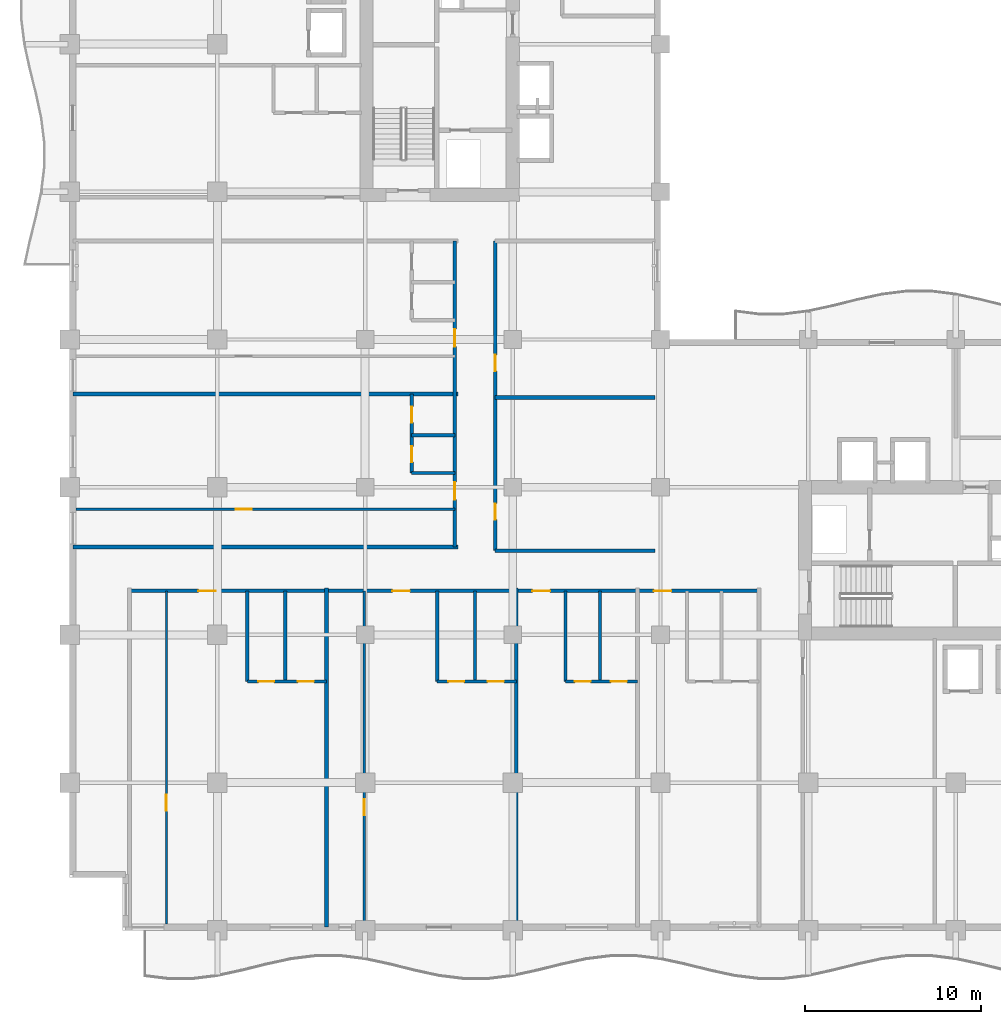
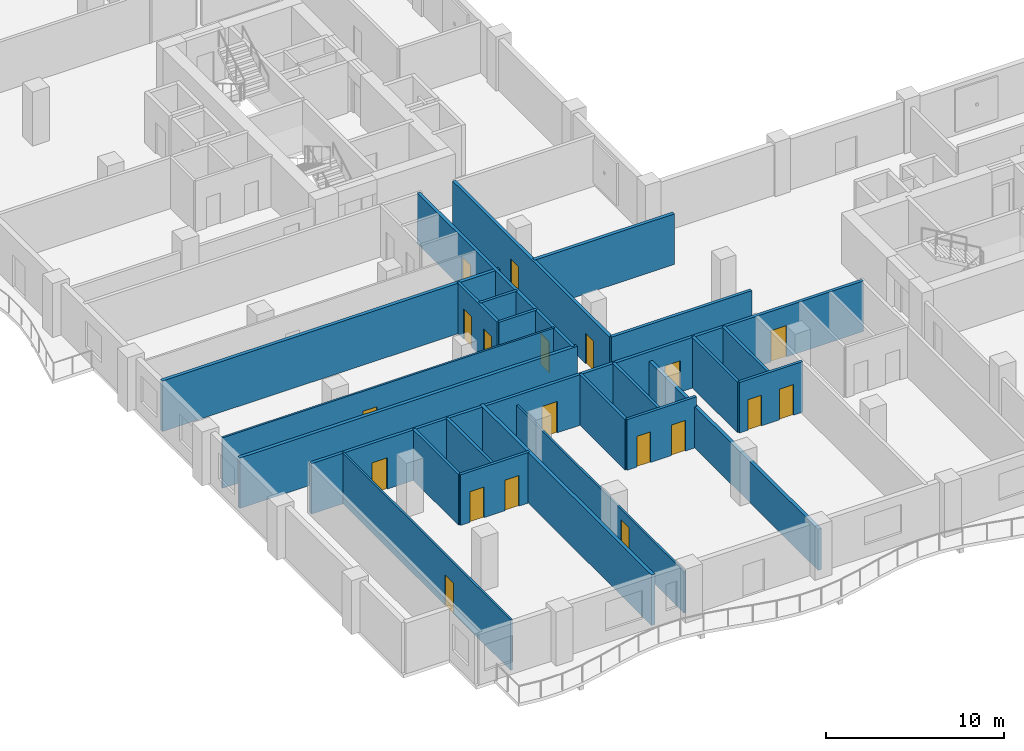
# One storey, part 4 of 16: 24 walls, 19 doors, 19 openings.
"""IFC4 building model written with IfcOpenShell, lengths in metres."""

from ifc_helpers import new_model, si_unit, direction, frame, frame_2d, origin, place, context, subcontext, project, spatial, rectangle, extrude, material, layer, layer_set, type_object, element, fill, save


model = new_model("IFC4")

# Units and contexts
model_context = context("Model", 3, precision=1e-05, world=origin(), true_north=direction((0.0, 1.0)))
body_context = subcontext(model_context, "Body", "Model", "MODEL_VIEW")
ifc_project = project(units=[si_unit("LENGTHUNIT", "METRE"), si_unit("AREAUNIT", "SQUARE_METRE"), si_unit("VOLUMEUNIT", "CUBIC_METRE"), si_unit("PLANEANGLEUNIT", "RADIAN"), si_unit("MASSUNIT", "GRAM", prefix="KILO")], contexts=[model_context])

# Site, building, storey
site_placement = place(None, origin())
site = spatial("IfcSite", under=ifc_project, at=site_placement, CompositionType="ELEMENT")
building_placement = place(site_placement, origin())
building = spatial("IfcBuilding", under=site, at=building_placement, Name="Koriwani Terraces Tower", CompositionType="ELEMENT")
storey_placement = place(building_placement, frame((0.0, 0.0, 179.10009765625)))
storey = spatial("IfcBuildingStorey", under=building, at=storey_placement, Name="L43", CompositionType="ELEMENT", Elevation=179.10009765625)

# Wall, openings, doors
ifc_material_1 = material(Name="Autoclaved Cellular Concrete Blockwork", Category="masonry")
ifc_layer_1 = layer(ifc_material_1, 0.199951171875, Name="Autoclaved Cellular Concrete Blockwork")
ifc_layer_set_1 = layer_set([ifc_layer_1], Name="Autoclaved Cellular Concrete Blockwork")
wall_type_1 = type_object("IfcWallType", Name="WALL_CORRIDOR_200", PredefinedType="PARTITIONING", material=ifc_layer_set_1)
wall_1_placement = place(storey_placement, frame((24.199951171875, 21.60009765625, 0.0), z_axis=(0.0, 0.0, 1.0), x_axis=(0.0, 1.0, 0.0)))
wall_1 = element("IfcWall", 1, at=wall_1_placement, inside=storey, type_object=wall_type_1, Name="L43 Interior Wall WIC2-W-L43", PredefinedType="PARTITIONING", context=body_context, shape_type="SweptSolid", body=[
    extrude(rectangle(XDim=17.599853515625, YDim=0.199951171875, at=frame_2d((8.7998046875, 0.0))), origin(), (0.0, 0.0, 1.0), 3.469970703125),
])
opening_1_placement = place(wall_1_placement, frame((1.75, 0.0, 0.0)))
opening_1 = element("IfcOpeningElement", 2, at=opening_1_placement, cuts=wall_1, Name="Opening D-06", PredefinedType="OPENING", context=body_context, shape_type="SweptSolid", body=[
    extrude(rectangle(XDim=0.919921875, YDim=2.10009765625, at=frame_2d((0.4599609375, 1.050048828125))), frame((0.0, 0.10986328125, 0.0), z_axis=(0.0, -1.0, 0.0), x_axis=(1.0, 0.0, 0.0)), (0.0, 0.0, 1.0), 0.219970703125),
])
opening_2_placement = place(wall_1_placement, frame((10.199951171875, 0.0, 0.0)))
opening_2 = element("IfcOpeningElement", 3, at=opening_2_placement, cuts=wall_1, Name="Opening D-06", PredefinedType="OPENING", context=body_context, shape_type="SweptSolid", body=[
    extrude(rectangle(XDim=0.919921875, YDim=2.10009765625, at=frame_2d((0.4599609375, 1.050048828125))), frame((0.0, 0.10986328125, 0.0), z_axis=(0.0, -1.0, 0.0), x_axis=(1.0, 0.0, 0.0)), (0.0, 0.0, 1.0), 0.219970703125),
])
ifc_material_2 = material(Name="Architectural Oak Fire Door", Category="wood")
door_type_1 = type_object("IfcDoorType", Name="DOOR_ROOM_INT_920X2100", OperationType="NOTDEFINED", PredefinedType="DOOR", material=ifc_material_2)
door_1_placement = place(opening_1_placement, origin())
door_1 = element("IfcDoor", 4, at=door_1_placement, inside=storey, type_object=door_type_1, Name="L43 Inner Court Salon Door", OperationType="SINGLE_SWING_LEFT", OverallHeight=2.10009765625, OverallWidth=0.919921875, PredefinedType="DOOR", context=body_context, shape_type="SweptSolid", body=[
    extrude(rectangle(XDim=0.919921875, YDim=2.10009765625, at=frame_2d((0.4599609375, 1.050048828125))), frame((0.0, 0.02490234375, 0.0), z_axis=(0.0, -1.0, 0.0), x_axis=(1.0, 0.0, 0.0)), (0.0, 0.0, 1.0), 0.050048828125),
])
fill(opening_1, door_1)
door_2_placement = place(opening_2_placement, origin())
door_2 = element("IfcDoor", 5, at=door_2_placement, inside=storey, type_object=door_type_1, Name="L43 Inner Court Media Room Door", OperationType="SINGLE_SWING_RIGHT", OverallHeight=2.10009765625, OverallWidth=0.919921875, PredefinedType="DOOR", context=body_context, shape_type="SweptSolid", body=[
    extrude(rectangle(XDim=0.919921875, YDim=2.10009765625, at=frame_2d((0.4599609375, 1.050048828125))), frame((0.0, 0.02490234375, 0.0), z_axis=(0.0, -1.0, 0.0), x_axis=(1.0, 0.0, 0.0)), (0.0, 0.0, 1.0), 0.050048828125),
])
fill(opening_2, door_2)

# Wall
wall_2_placement = place(storey_placement, frame((24.199951171875, 21.60009765625, 0.0), z_axis=(0.0, 0.0, 1.0), x_axis=(1.0, 0.0, 0.0)))
element("IfcWall", 6, at=wall_2_placement, inside=storey, type_object=wall_type_1, Name="L43 Interior Wall WIC2-S-L43", PredefinedType="PARTITIONING", context=body_context, shape_type="SweptSolid", body=[
    extrude(rectangle(XDim=9.10009765625, YDim=0.199951171875, at=frame_2d((4.550048828125, 0.0))), origin(), (0.0, 0.0, 1.0), 3.469970703125),
])

# Wall, openings, doors
wall_3_placement = place(storey_placement, frame((3.39990234375, 19.300048828125, 0.0), z_axis=(0.0, 0.0, 1.0), x_axis=(1.0, 0.0, 0.0)))
wall_3 = element("IfcWall", 7, at=wall_3_placement, inside=storey, type_object=wall_type_1, Name="L43 Interior Wall WRCOR-L43-SW-0", PredefinedType="PARTITIONING", context=body_context, shape_type="SweptSolid", body=[
    extrude(rectangle(XDim=35.800048828125, YDim=0.199951171875, at=frame_2d((17.89990234375, 0.0))), origin(), (0.0, 0.0, 1.0), 3.469970703125),
])
opening_3_placement = place(wall_3_placement, frame((3.919921875, 0.0, 0.0)))
opening_3 = element("IfcOpeningElement", 8, at=opening_3_placement, cuts=wall_3, Name="Opening D-05", PredefinedType="OPENING", context=body_context, shape_type="SweptSolid", body=[
    extrude(rectangle(XDim=1.0, YDim=2.14990234375, at=frame_2d((0.5, 1.074951171875))), frame((0.0, 0.10986328125, 0.0), z_axis=(0.0, -1.0, 0.0), x_axis=(1.0, 0.0, 0.0)), (0.0, 0.0, 1.0), 0.219970703125),
])
opening_4_placement = place(wall_3_placement, frame((14.945068359375, 0.0, 0.0)))
opening_4 = element("IfcOpeningElement", 9, at=opening_4_placement, cuts=wall_3, Name="Opening D-05", PredefinedType="OPENING", context=body_context, shape_type="SweptSolid", body=[
    extrude(rectangle(XDim=1.0, YDim=2.14990234375, at=frame_2d((0.5, 1.074951171875))), frame((0.0, 0.10986328125, 0.0), z_axis=(0.0, -1.0, 0.0), x_axis=(1.0, 0.0, 0.0)), (0.0, 0.0, 1.0), 0.219970703125),
])
opening_5_placement = place(wall_3_placement, frame((22.919921875, 0.0, 0.0)))
opening_5 = element("IfcOpeningElement", 10, at=opening_5_placement, cuts=wall_3, Name="Opening D-05", PredefinedType="OPENING", context=body_context, shape_type="SweptSolid", body=[
    extrude(rectangle(XDim=1.0, YDim=2.14990234375, at=frame_2d((0.5, 1.074951171875))), frame((0.0, 0.10986328125, 0.0), z_axis=(0.0, -1.0, 0.0), x_axis=(1.0, 0.0, 0.0)), (0.0, 0.0, 1.0), 0.219970703125),
])
opening_6_placement = place(wall_3_placement, frame((29.820068359375, 0.0, 0.0)))
opening_6 = element("IfcOpeningElement", 11, at=opening_6_placement, cuts=wall_3, Name="Opening D-05", PredefinedType="OPENING", context=body_context, shape_type="SweptSolid", body=[
    extrude(rectangle(XDim=1.0, YDim=2.14990234375, at=frame_2d((0.5, 1.074951171875))), frame((0.0, 0.10986328125, 0.0), z_axis=(0.0, -1.0, 0.0), x_axis=(1.0, 0.0, 0.0)), (0.0, 0.0, 1.0), 0.219970703125),
])
door_type_2 = type_object("IfcDoorType", Name="DOOR_SUITE_ENTRY_1000X2150", OperationType="NOTDEFINED", PredefinedType="DOOR", material=ifc_material_2)
door_3_placement = place(opening_3_placement, origin())
door_3 = element("IfcDoor", 12, at=door_3_placement, inside=storey, type_object=door_type_2, Name="Apartment 43SW1 Entrance Door", OperationType="SINGLE_SWING_LEFT", OverallHeight=2.14990234375, OverallWidth=1.0, PredefinedType="DOOR", context=body_context, shape_type="SweptSolid", body=[
    extrude(rectangle(XDim=1.0, YDim=2.14990234375, at=frame_2d((0.5, 1.074951171875))), frame((0.0, 0.02490234375, 0.0), z_axis=(0.0, -1.0, 0.0), x_axis=(1.0, 0.0, 0.0)), (0.0, 0.0, 1.0), 0.050048828125),
])
fill(opening_3, door_3)
door_4_placement = place(opening_4_placement, origin())
door_4 = element("IfcDoor", 13, at=door_4_placement, inside=storey, type_object=door_type_2, Name="Apartment 43SW2 Entrance Door", OperationType="SINGLE_SWING_LEFT", OverallHeight=2.14990234375, OverallWidth=1.0, PredefinedType="DOOR", context=body_context, shape_type="SweptSolid", body=[
    extrude(rectangle(XDim=1.0, YDim=2.14990234375, at=frame_2d((0.5, 1.074951171875))), frame((0.0, 0.02490234375, 0.0), z_axis=(0.0, -1.0, 0.0), x_axis=(1.0, 0.0, 0.0)), (0.0, 0.0, 1.0), 0.050048828125),
])
fill(opening_4, door_4)
door_5_placement = place(opening_5_placement, origin())
door_5 = element("IfcDoor", 14, at=door_5_placement, inside=storey, type_object=door_type_2, Name="Apartment 43SW3 Entrance Door", OperationType="SINGLE_SWING_LEFT", OverallHeight=2.14990234375, OverallWidth=1.0, PredefinedType="DOOR", context=body_context, shape_type="SweptSolid", body=[
    extrude(rectangle(XDim=1.0, YDim=2.14990234375, at=frame_2d((0.5, 1.074951171875))), frame((0.0, 0.02490234375, 0.0), z_axis=(0.0, -1.0, 0.0), x_axis=(1.0, 0.0, 0.0)), (0.0, 0.0, 1.0), 0.050048828125),
])
fill(opening_5, door_5)
door_6_placement = place(opening_6_placement, origin())
door_6 = element("IfcDoor", 15, at=door_6_placement, inside=storey, type_object=door_type_2, Name="Apartment 43SW4 Entrance Door", OperationType="SINGLE_SWING_RIGHT", OverallHeight=2.14990234375, OverallWidth=1.0, PredefinedType="DOOR", context=body_context, shape_type="SweptSolid", body=[
    extrude(rectangle(XDim=1.0, YDim=2.14990234375, at=frame_2d((0.5, 1.074951171875))), frame((0.0, 0.02490234375, 0.0), z_axis=(0.0, -1.0, 0.0), x_axis=(1.0, 0.0, 0.0)), (0.0, 0.0, 1.0), 0.050048828125),
])
fill(opening_6, door_6)

wall_4_placement = place(storey_placement, frame((21.89990234375, 21.800048828125, 0.0), z_axis=(0.0, 0.0, 1.0), x_axis=(0.0, 1.0, 0.0)))
wall_4 = element("IfcWall", 16, at=wall_4_placement, inside=storey, type_object=wall_type_1, Name="L43 Interior Wall WRCOR-L43-NW-0", PredefinedType="PARTITIONING", context=body_context, shape_type="SweptSolid", body=[
    extrude(rectangle(XDim=17.39990234375, YDim=0.199951171875, at=frame_2d((8.699951171875, 0.0))), origin(), (0.0, 0.0, 1.0), 3.469970703125),
])
opening_7_placement = place(wall_4_placement, frame((2.695068359375, 0.0, 0.0)))
opening_7 = element("IfcOpeningElement", 17, at=opening_7_placement, cuts=wall_4, Name="Opening D-05", PredefinedType="OPENING", context=body_context, shape_type="SweptSolid", body=[
    extrude(rectangle(XDim=1.0, YDim=2.14990234375, at=frame_2d((0.5, 1.074951171875))), frame((0.0, 0.10986328125, 0.0), z_axis=(0.0, -1.0, 0.0), x_axis=(1.0, 0.0, 0.0)), (0.0, 0.0, 1.0), 0.219970703125),
])
opening_8_placement = place(wall_4_placement, frame((11.39501953125, 0.0, 0.0)))
opening_8 = element("IfcOpeningElement", 18, at=opening_8_placement, cuts=wall_4, Name="Opening D-05", PredefinedType="OPENING", context=body_context, shape_type="SweptSolid", body=[
    extrude(rectangle(XDim=1.0, YDim=2.14990234375, at=frame_2d((0.5, 1.074951171875))), frame((0.0, 0.10986328125, 0.0), z_axis=(0.0, -1.0, 0.0), x_axis=(1.0, 0.0, 0.0)), (0.0, 0.0, 1.0), 0.219970703125),
])
door_7_placement = place(opening_7_placement, origin())
door_7 = element("IfcDoor", 19, at=door_7_placement, inside=storey, type_object=door_type_2, Name="Apartment 43NW1 Entrance Door", OperationType="SINGLE_SWING_LEFT", OverallHeight=2.14990234375, OverallWidth=1.0, PredefinedType="DOOR", context=body_context, shape_type="SweptSolid", body=[
    extrude(rectangle(XDim=1.0, YDim=2.14990234375, at=frame_2d((0.5, 1.074951171875))), frame((0.0, 0.02490234375, 0.0), z_axis=(0.0, -1.0, 0.0), x_axis=(1.0, 0.0, 0.0)), (0.0, 0.0, 1.0), 0.050048828125),
])
fill(opening_7, door_7)
door_8_placement = place(opening_8_placement, origin())
door_8 = element("IfcDoor", 20, at=door_8_placement, inside=storey, type_object=door_type_2, Name="Apartment 43NW2 Entrance Door", OperationType="SINGLE_SWING_LEFT", OverallHeight=2.14990234375, OverallWidth=1.0, PredefinedType="DOOR", context=body_context, shape_type="SweptSolid", body=[
    extrude(rectangle(XDim=1.0, YDim=2.14990234375, at=frame_2d((0.5, 1.074951171875))), frame((0.0, 0.02490234375, 0.0), z_axis=(0.0, -1.0, 0.0), x_axis=(1.0, 0.0, 0.0)), (0.0, 0.0, 1.0), 0.050048828125),
])
fill(opening_8, door_8)

# Walls
ifc_layer_2 = layer(ifc_material_1, 0.219970703125, Name="Autoclaved Cellular Concrete Blockwork")
ifc_layer_set_2 = layer_set([ifc_layer_2], Name="Autoclaved Cellular Concrete Blockwork")
wall_type_2 = type_object("IfcWallType", Name="WALL_DEMISING_220", PredefinedType="PARTITIONING", material=ifc_layer_set_2)
wall_5_placement = place(storey_placement, frame((24.199951171875, 30.300048828125, 0.0), z_axis=(0.0, 0.0, 1.0), x_axis=(1.0, 0.0, 0.0)))
element("IfcWall", 21, at=wall_5_placement, inside=storey, type_object=wall_type_2, Name="L43 Interior Wall WIC2-M-L43", PredefinedType="PARTITIONING", context=body_context, shape_type="SweptSolid", body=[
    extrude(rectangle(XDim=9.10009765625, YDim=0.219970703125, at=frame_2d((4.550048828125, 0.0))), origin(), (0.0, 0.0, 1.0), 3.469970703125),
])
wall_6_placement = place(storey_placement, frame((14.60009765625, 0.199951171875, 0.0), z_axis=(0.0, 0.0, 1.0), x_axis=(0.0, 1.0, 0.0)))
element("IfcWall", 22, at=wall_6_placement, inside=storey, type_object=wall_type_2, Name="L43 Interior Wall WRDEM-L43-SW-1", PredefinedType="PARTITIONING", context=body_context, shape_type="SweptSolid", body=[
    extrude(rectangle(XDim=19.280029296875, YDim=0.219970703125, at=frame_2d((9.64013671875, 0.0))), origin(), (0.0, 0.0, 1.0), 3.469970703125),
])
wall_7_placement = place(storey_placement, frame((25.39990234375, 0.199951171875, 0.0), z_axis=(0.0, 0.0, 1.0), x_axis=(0.0, 1.0, 0.0)))
element("IfcWall", 23, at=wall_7_placement, inside=storey, type_object=wall_type_2, Name="L43 Interior Wall WRDEM-L43-SW-2", PredefinedType="PARTITIONING", context=body_context, shape_type="SweptSolid", body=[
    extrude(rectangle(XDim=19.280029296875, YDim=0.219970703125, at=frame_2d((9.64013671875, 0.0))), origin(), (0.0, 0.0, 1.0), 2.81982421875),
])
for number, where, z_axis, x_axis, name in (
    (24, (0.199951171875, 21.800048828125, 0.0), (0.0, 0.0, 1.0), (1.0, 0.0, 0.0), "L43 Interior Wall WRDEM-L43-NW-0"),
    (25, (0.199951171875, 30.5, 0.0), (0.0, 0.0, 1.0), (1.0, 0.0, 0.0), "L43 Interior Wall WRDEM-L43-NW-1"),
):
    element("IfcWall", number, at=place(storey_placement, frame(where, z_axis=z_axis, x_axis=x_axis)), inside=storey, type_object=wall_type_2, Name=name, PredefinedType="PARTITIONING", context=body_context, shape_type="SweptSolid", body=[
        extrude(rectangle(XDim=21.880126953125, YDim=0.219970703125, at=frame_2d((10.93994140625, 0.0))), origin(), (0.0, 0.0, 1.0), 3.469970703125),
    ])

# Wall, opening, door
ifc_material_3 = material(Name="Fire-Rated Acoustic Gypsum Partition", Category="masonry")
ifc_layer_3 = layer(ifc_material_3, 0.125, Name="Fire-Rated Acoustic Gypsum Partition")
ifc_layer_set_3 = layer_set([ifc_layer_3], Name="Fire-Rated Acoustic Gypsum Partition")
wall_type_3 = type_object("IfcWallType", Name="WALL_INT_125", PredefinedType="PARTITIONING", material=ifc_layer_set_3)
wall_8_placement = place(storey_placement, frame((5.5, 0.35009765625, 0.0), z_axis=(0.0, 0.0, 1.0), x_axis=(0.0, 1.0, 0.0)))
wall_8 = element("IfcWall", 26, at=wall_8_placement, inside=storey, type_object=wall_type_3, Name="L43 Interior Wall WRBED1-L43-SW-0", PredefinedType="PARTITIONING", context=body_context, shape_type="SweptSolid", body=[
    extrude(rectangle(XDim=18.949951171875, YDim=0.125, at=frame_2d((9.47509765625, 0.0))), origin(), (0.0, 0.0, 1.0), 3.469970703125),
])
opening_9_placement = place(wall_8_placement, frame((6.43994140625, 0.0, 0.0)))
opening_9 = element("IfcOpeningElement", 27, at=opening_9_placement, cuts=wall_8, Name="Opening D-06", PredefinedType="OPENING", context=body_context, shape_type="SweptSolid", body=[
    extrude(rectangle(XDim=0.919921875, YDim=2.10009765625, at=frame_2d((0.4599609375, 1.050048828125))), frame((0.0, 0.072509765625, 0.0), z_axis=(0.0, -1.0, 0.0), x_axis=(1.0, 0.0, 0.0)), (0.0, 0.0, 1.0), 0.14501953125),
])
door_9_placement = place(opening_9_placement, origin())
door_9 = element("IfcDoor", 28, at=door_9_placement, inside=storey, type_object=door_type_1, Name="Apartment 43SW1 Master Bedroom Door", OperationType="SINGLE_SWING_RIGHT", OverallHeight=2.10009765625, OverallWidth=0.919921875, PredefinedType="DOOR", context=body_context, shape_type="SweptSolid", body=[
    extrude(rectangle(XDim=0.919921875, YDim=2.10009765625, at=frame_2d((0.4599609375, 1.050048828125))), frame((0.0, 0.02490234375, 0.0), z_axis=(0.0, -1.0, 0.0), x_axis=(1.0, 0.0, 0.0)), (0.0, 0.0, 1.0), 0.050048828125),
])
fill(opening_9, door_9)

wall_9_placement = place(storey_placement, frame((16.75, 0.35009765625, 0.0), z_axis=(0.0, 0.0, 1.0), x_axis=(0.0, 1.0, 0.0)))
wall_9 = element("IfcWall", 29, at=wall_9_placement, inside=storey, type_object=wall_type_3, Name="L43 Interior Wall WRBED1-L43-SW-1", PredefinedType="PARTITIONING", context=body_context, shape_type="SweptSolid", body=[
    extrude(rectangle(XDim=18.949951171875, YDim=0.125, at=frame_2d((9.47509765625, 0.0))), origin(), (0.0, 0.0, 1.0), 2.81982421875),
])
opening_10_placement = place(wall_9_placement, frame((6.18994140625, 0.0, 0.0)))
opening_10 = element("IfcOpeningElement", 30, at=opening_10_placement, cuts=wall_9, Name="Opening D-06", PredefinedType="OPENING", context=body_context, shape_type="SweptSolid", body=[
    extrude(rectangle(XDim=0.919921875, YDim=2.10009765625, at=frame_2d((0.4599609375, 1.050048828125))), frame((0.0, 0.072509765625, 0.0), z_axis=(0.0, -1.0, 0.0), x_axis=(1.0, 0.0, 0.0)), (0.0, 0.0, 1.0), 0.14501953125),
])
door_10_placement = place(opening_10_placement, origin())
door_10 = element("IfcDoor", 31, at=door_10_placement, inside=storey, type_object=door_type_1, Name="Apartment 43SW2 Master Bedroom Door", OperationType="SINGLE_SWING_RIGHT", OverallHeight=2.10009765625, OverallWidth=0.919921875, PredefinedType="DOOR", context=body_context, shape_type="SweptSolid", body=[
    extrude(rectangle(XDim=0.919921875, YDim=2.10009765625, at=frame_2d((0.4599609375, 1.050048828125))), frame((0.0, 0.02490234375, 0.0), z_axis=(0.0, -1.0, 0.0), x_axis=(1.0, 0.0, 0.0)), (0.0, 0.0, 1.0), 0.050048828125),
])
fill(opening_10, door_10)

wall_10_placement = place(storey_placement, frame((0.35009765625, 23.949951171875, 0.0), z_axis=(0.0, 0.0, 1.0), x_axis=(1.0, 0.0, 0.0)))
wall_10 = element("IfcWall", 32, at=wall_10_placement, inside=storey, type_object=wall_type_3, Name="L43 Interior Wall WRBED1-L43-NW-0", PredefinedType="PARTITIONING", context=body_context, shape_type="SweptSolid", body=[
    extrude(rectangle(XDim=21.5498046875, YDim=0.125, at=frame_2d((10.77490234375, 0.0))), origin(), (0.0, 0.0, 1.0), 3.469970703125),
])
opening_11_placement = place(wall_10_placement, frame((9.090087890625, 0.0, 0.0)))
opening_11 = element("IfcOpeningElement", 33, at=opening_11_placement, cuts=wall_10, Name="Opening D-06", PredefinedType="OPENING", context=body_context, shape_type="SweptSolid", body=[
    extrude(rectangle(XDim=0.919921875, YDim=2.10009765625, at=frame_2d((0.4599609375, 1.050048828125))), frame((0.0, 0.072509765625, 0.0), z_axis=(0.0, -1.0, 0.0), x_axis=(1.0, 0.0, 0.0)), (0.0, 0.0, 1.0), 0.14501953125),
])
door_11_placement = place(opening_11_placement, origin())
door_11 = element("IfcDoor", 34, at=door_11_placement, inside=storey, type_object=door_type_1, Name="Apartment 43NW1 Master Bedroom Door", OperationType="SINGLE_SWING_RIGHT", OverallHeight=2.10009765625, OverallWidth=0.919921875, PredefinedType="DOOR", context=body_context, shape_type="SweptSolid", body=[
    extrude(rectangle(XDim=0.919921875, YDim=2.10009765625, at=frame_2d((0.4599609375, 1.050048828125))), frame((0.0, 0.02490234375, 0.0), z_axis=(0.0, -1.0, 0.0), x_axis=(1.0, 0.0, 0.0)), (0.0, 0.0, 1.0), 0.050048828125),
])
fill(opening_11, door_11)

# Wall, openings, doors
ifc_layer_4 = layer(ifc_material_3, 0.179931640625, Name="Fire-Rated Acoustic Gypsum Partition")
ifc_layer_set_4 = layer_set([ifc_layer_4], Name="Fire-Rated Acoustic Gypsum Partition")
wall_type_4 = type_object("IfcWallType", Name="WALL_PLUMBING_180", PredefinedType="PLUMBINGWALL", material=ifc_layer_set_4)
wall_11_placement = place(storey_placement, frame((10.10009765625, 14.14990234375, 0.0), z_axis=(0.0, 0.0, 1.0), x_axis=(1.0, 0.0, 0.0)))
wall_11 = element("IfcWall", 35, at=wall_11_placement, inside=storey, type_object=wall_type_4, Name="L43 Interior Wall WRSVC-L43-SW-0", PredefinedType="PLUMBINGWALL", context=body_context, shape_type="SweptSolid", body=[
    extrude(rectangle(XDim=4.5, YDim=0.179931640625, at=frame_2d((2.25, 0.0))), origin(), (0.0, 0.0, 1.0), 3.469970703125),
])
opening_12_placement = place(wall_11_placement, frame((0.6298828125, 0.0, 0.0)))
opening_12 = element("IfcOpeningElement", 36, at=opening_12_placement, cuts=wall_11, Name="Opening D-07", PredefinedType="OPENING", context=body_context, shape_type="SweptSolid", body=[
    extrude(rectangle(XDim=0.89990234375, YDim=2.10009765625, at=frame_2d((0.449951171875, 1.050048828125))), frame((0.0, 0.10009765625, 0.0), z_axis=(0.0, -1.0, 0.0), x_axis=(1.0, 0.0, 0.0)), (0.0, 0.0, 1.0), 0.199951171875),
])
opening_13_placement = place(wall_11_placement, frame((2.8701171875, 0.0, 0.0)))
opening_13 = element("IfcOpeningElement", 37, at=opening_13_placement, cuts=wall_11, Name="Opening D-06", PredefinedType="OPENING", context=body_context, shape_type="SweptSolid", body=[
    extrude(rectangle(XDim=0.919921875, YDim=2.10009765625, at=frame_2d((0.4599609375, 1.050048828125))), frame((0.0, 0.10009765625, 0.0), z_axis=(0.0, -1.0, 0.0), x_axis=(1.0, 0.0, 0.0)), (0.0, 0.0, 1.0), 0.199951171875),
])
door_type_3 = type_object("IfcDoorType", Name="DOOR_BATH_INT_900X2100", OperationType="NOTDEFINED", PredefinedType="DOOR", material=ifc_material_2)
door_12_placement = place(opening_12_placement, origin())
door_12 = element("IfcDoor", 38, at=door_12_placement, inside=storey, type_object=door_type_3, Name="Apartment 43SW1 Bathroom Door", OperationType="SINGLE_SWING_RIGHT", OverallHeight=2.10009765625, OverallWidth=0.89990234375, PredefinedType="DOOR", context=body_context, shape_type="SweptSolid", body=[
    extrude(rectangle(XDim=0.89990234375, YDim=2.10009765625, at=frame_2d((0.449951171875, 1.050048828125))), frame((0.0, 0.02490234375, 0.0), z_axis=(0.0, -1.0, 0.0), x_axis=(1.0, 0.0, 0.0)), (0.0, 0.0, 1.0), 0.050048828125),
])
fill(opening_12, door_12)
door_13_placement = place(opening_13_placement, origin())
door_13 = element("IfcDoor", 39, at=door_13_placement, inside=storey, type_object=door_type_1, Name="Apartment 43SW1 Kitchen Door", OperationType="SINGLE_SWING_LEFT", OverallHeight=2.10009765625, OverallWidth=0.919921875, PredefinedType="DOOR", context=body_context, shape_type="SweptSolid", body=[
    extrude(rectangle(XDim=0.919921875, YDim=2.10009765625, at=frame_2d((0.4599609375, 1.050048828125))), frame((0.0, 0.02490234375, 0.0), z_axis=(0.0, -1.0, 0.0), x_axis=(1.0, 0.0, 0.0)), (0.0, 0.0, 1.0), 0.050048828125),
])
fill(opening_13, door_13)

# Walls
for number, where, z_axis, x_axis, name in (
    (40, (10.10009765625, 14.14990234375, 0.0), (0.0, 0.0, 1.0), (0.0, 1.0, 0.0), "L43 Interior Wall WRSVCS-L43-SW-0"),
    (41, (12.260009765625, 14.14990234375, 0.0), (0.0, 0.0, 1.0), (0.0, 1.0, 0.0), "L43 Interior Wall WRSVCM-L43-SW-0"),
):
    element("IfcWall", number, at=place(storey_placement, frame(where, z_axis=z_axis, x_axis=x_axis)), inside=storey, type_object=wall_type_4, Name=name, PredefinedType="PLUMBINGWALL", context=body_context, shape_type="SweptSolid", body=[
        extrude(rectangle(XDim=5.150146484375, YDim=0.179931640625, at=frame_2d((2.5751953125, 0.0))), origin(), (0.0, 0.0, 1.0), 3.469970703125),
    ])

# Wall, openings, doors
wall_12_placement = place(storey_placement, frame((20.89990234375, 14.14990234375, 0.0), z_axis=(0.0, 0.0, 1.0), x_axis=(1.0, 0.0, 0.0)))
wall_12 = element("IfcWall", 42, at=wall_12_placement, inside=storey, type_object=wall_type_4, Name="L43 Interior Wall WRSVC-L43-SW-1", PredefinedType="PLUMBINGWALL", context=body_context, shape_type="SweptSolid", body=[
    extrude(rectangle(XDim=4.5, YDim=0.179931640625, at=frame_2d((2.25, 0.0))), origin(), (0.0, 0.0, 1.0), 3.469970703125),
])
opening_14_placement = place(wall_12_placement, frame((0.6298828125, 0.0, 0.0)))
opening_14 = element("IfcOpeningElement", 43, at=opening_14_placement, cuts=wall_12, Name="Opening D-07", PredefinedType="OPENING", context=body_context, shape_type="SweptSolid", body=[
    extrude(rectangle(XDim=0.89990234375, YDim=2.10009765625, at=frame_2d((0.449951171875, 1.050048828125))), frame((0.0, 0.10009765625, 0.0), z_axis=(0.0, -1.0, 0.0), x_axis=(1.0, 0.0, 0.0)), (0.0, 0.0, 1.0), 0.199951171875),
])
opening_15_placement = place(wall_12_placement, frame((2.8701171875, 0.0, 0.0)))
opening_15 = element("IfcOpeningElement", 44, at=opening_15_placement, cuts=wall_12, Name="Opening D-06", PredefinedType="OPENING", context=body_context, shape_type="SweptSolid", body=[
    extrude(rectangle(XDim=0.919921875, YDim=2.10009765625, at=frame_2d((0.4599609375, 1.050048828125))), frame((0.0, 0.10009765625, 0.0), z_axis=(0.0, -1.0, 0.0), x_axis=(1.0, 0.0, 0.0)), (0.0, 0.0, 1.0), 0.199951171875),
])
door_14_placement = place(opening_14_placement, origin())
door_14 = element("IfcDoor", 45, at=door_14_placement, inside=storey, type_object=door_type_3, Name="Apartment 43SW2 Bathroom Door", OperationType="SINGLE_SWING_RIGHT", OverallHeight=2.10009765625, OverallWidth=0.89990234375, PredefinedType="DOOR", context=body_context, shape_type="SweptSolid", body=[
    extrude(rectangle(XDim=0.89990234375, YDim=2.10009765625, at=frame_2d((0.449951171875, 1.050048828125))), frame((0.0, 0.02490234375, 0.0), z_axis=(0.0, -1.0, 0.0), x_axis=(1.0, 0.0, 0.0)), (0.0, 0.0, 1.0), 0.050048828125),
])
fill(opening_14, door_14)
door_15_placement = place(opening_15_placement, origin())
door_15 = element("IfcDoor", 46, at=door_15_placement, inside=storey, type_object=door_type_1, Name="Apartment 43SW2 Kitchen Door", OperationType="SINGLE_SWING_LEFT", OverallHeight=2.10009765625, OverallWidth=0.919921875, PredefinedType="DOOR", context=body_context, shape_type="SweptSolid", body=[
    extrude(rectangle(XDim=0.919921875, YDim=2.10009765625, at=frame_2d((0.4599609375, 1.050048828125))), frame((0.0, 0.02490234375, 0.0), z_axis=(0.0, -1.0, 0.0), x_axis=(1.0, 0.0, 0.0)), (0.0, 0.0, 1.0), 0.050048828125),
])
fill(opening_15, door_15)

# Walls
for number, where, z_axis, x_axis, name in (
    (47, (20.89990234375, 14.14990234375, 0.0), (0.0, 0.0, 1.0), (0.0, 1.0, 0.0), "L43 Interior Wall WRSVCS-L43-SW-1"),
    (48, (23.06005859375, 14.14990234375, 0.0), (0.0, 0.0, 1.0), (0.0, 1.0, 0.0), "L43 Interior Wall WRSVCM-L43-SW-1"),
):
    element("IfcWall", number, at=place(storey_placement, frame(where, z_axis=z_axis, x_axis=x_axis)), inside=storey, type_object=wall_type_4, Name=name, PredefinedType="PLUMBINGWALL", context=body_context, shape_type="SweptSolid", body=[
        extrude(rectangle(XDim=5.150146484375, YDim=0.179931640625, at=frame_2d((2.5751953125, 0.0))), origin(), (0.0, 0.0, 1.0), 3.469970703125),
    ])

# Wall, openings, doors
wall_13_placement = place(storey_placement, frame((28.199951171875, 14.14990234375, 0.0), z_axis=(0.0, 0.0, 1.0), x_axis=(1.0, 0.0, 0.0)))
wall_13 = element("IfcWall", 49, at=wall_13_placement, inside=storey, type_object=wall_type_4, Name="L43 Interior Wall WRSVC-L43-SW-2", PredefinedType="PLUMBINGWALL", context=body_context, shape_type="SweptSolid", body=[
    extrude(rectangle(XDim=4.10009765625, YDim=0.179931640625, at=frame_2d((2.050048828125, 0.0))), origin(), (0.0, 0.0, 1.0), 3.469970703125),
])
opening_16_placement = place(wall_13_placement, frame((0.533935546875, 0.0, 0.0)))
opening_16 = element("IfcOpeningElement", 50, at=opening_16_placement, cuts=wall_13, Name="Opening D-07", PredefinedType="OPENING", context=body_context, shape_type="SweptSolid", body=[
    extrude(rectangle(XDim=0.89990234375, YDim=2.10009765625, at=frame_2d((0.449951171875, 1.050048828125))), frame((0.0, 0.10009765625, 0.0), z_axis=(0.0, -1.0, 0.0), x_axis=(1.0, 0.0, 0.0)), (0.0, 0.0, 1.0), 0.199951171875),
])
opening_17_placement = place(wall_13_placement, frame((2.573974609375, 0.0, 0.0)))
opening_17 = element("IfcOpeningElement", 51, at=opening_17_placement, cuts=wall_13, Name="Opening D-06", PredefinedType="OPENING", context=body_context, shape_type="SweptSolid", body=[
    extrude(rectangle(XDim=0.919921875, YDim=2.10009765625, at=frame_2d((0.4599609375, 1.050048828125))), frame((0.0, 0.10009765625, 0.0), z_axis=(0.0, -1.0, 0.0), x_axis=(1.0, 0.0, 0.0)), (0.0, 0.0, 1.0), 0.199951171875),
])
door_16_placement = place(opening_16_placement, origin())
door_16 = element("IfcDoor", 52, at=door_16_placement, inside=storey, type_object=door_type_3, Name="Apartment 43SW3 Bathroom Door", OperationType="SINGLE_SWING_RIGHT", OverallHeight=2.10009765625, OverallWidth=0.89990234375, PredefinedType="DOOR", context=body_context, shape_type="SweptSolid", body=[
    extrude(rectangle(XDim=0.89990234375, YDim=2.10009765625, at=frame_2d((0.449951171875, 1.050048828125))), frame((0.0, 0.02490234375, 0.0), z_axis=(0.0, -1.0, 0.0), x_axis=(1.0, 0.0, 0.0)), (0.0, 0.0, 1.0), 0.050048828125),
])
fill(opening_16, door_16)
door_17_placement = place(opening_17_placement, origin())
door_17 = element("IfcDoor", 53, at=door_17_placement, inside=storey, type_object=door_type_1, Name="Apartment 43SW3 Kitchen Door", OperationType="SINGLE_SWING_LEFT", OverallHeight=2.10009765625, OverallWidth=0.919921875, PredefinedType="DOOR", context=body_context, shape_type="SweptSolid", body=[
    extrude(rectangle(XDim=0.919921875, YDim=2.10009765625, at=frame_2d((0.4599609375, 1.050048828125))), frame((0.0, 0.02490234375, 0.0), z_axis=(0.0, -1.0, 0.0), x_axis=(1.0, 0.0, 0.0)), (0.0, 0.0, 1.0), 0.050048828125),
])
fill(opening_17, door_17)

# Walls
for number, where, z_axis, x_axis, name in (
    (54, (28.199951171875, 14.14990234375, 0.0), (0.0, 0.0, 1.0), (0.0, 1.0, 0.0), "L43 Interior Wall WRSVCS-L43-SW-2"),
    (55, (30.16796875, 14.14990234375, 0.0), (0.0, 0.0, 1.0), (0.0, 1.0, 0.0), "L43 Interior Wall WRSVCM-L43-SW-2"),
):
    element("IfcWall", number, at=place(storey_placement, frame(where, z_axis=z_axis, x_axis=x_axis)), inside=storey, type_object=wall_type_4, Name=name, PredefinedType="PLUMBINGWALL", context=body_context, shape_type="SweptSolid", body=[
        extrude(rectangle(XDim=5.150146484375, YDim=0.179931640625, at=frame_2d((2.5751953125, 0.0))), origin(), (0.0, 0.0, 1.0), 3.469970703125),
    ])

# Wall, openings, doors
wall_14_placement = place(storey_placement, frame((19.449951171875, 26.0, 0.0), z_axis=(0.0, 0.0, 1.0), x_axis=(0.0, 1.0, 0.0)))
wall_14 = element("IfcWall", 56, at=wall_14_placement, inside=storey, type_object=wall_type_4, Name="L43 Interior Wall WRSVC-L43-NW-0", PredefinedType="PLUMBINGWALL", context=body_context, shape_type="SweptSolid", body=[
    extrude(rectangle(XDim=4.5, YDim=0.179931640625, at=frame_2d((2.25, 0.0))), origin(), (0.0, 0.0, 1.0), 3.469970703125),
])
opening_18_placement = place(wall_14_placement, frame((0.6298828125, 0.0, 0.0)))
opening_18 = element("IfcOpeningElement", 57, at=opening_18_placement, cuts=wall_14, Name="Opening D-07", PredefinedType="OPENING", context=body_context, shape_type="SweptSolid", body=[
    extrude(rectangle(XDim=0.89990234375, YDim=2.10009765625, at=frame_2d((0.449951171875, 1.050048828125))), frame((0.0, 0.10009765625, 0.0), z_axis=(0.0, -1.0, 0.0), x_axis=(1.0, 0.0, 0.0)), (0.0, 0.0, 1.0), 0.199951171875),
])
opening_19_placement = place(wall_14_placement, frame((2.8701171875, 0.0, 0.0)))
opening_19 = element("IfcOpeningElement", 58, at=opening_19_placement, cuts=wall_14, Name="Opening D-06", PredefinedType="OPENING", context=body_context, shape_type="SweptSolid", body=[
    extrude(rectangle(XDim=0.919921875, YDim=2.10009765625, at=frame_2d((0.4599609375, 1.050048828125))), frame((0.0, 0.10009765625, 0.0), z_axis=(0.0, -1.0, 0.0), x_axis=(1.0, 0.0, 0.0)), (0.0, 0.0, 1.0), 0.199951171875),
])
door_18_placement = place(opening_18_placement, origin())
door_18 = element("IfcDoor", 59, at=door_18_placement, inside=storey, type_object=door_type_3, Name="Apartment 43NW1 Bathroom Door", OperationType="SINGLE_SWING_RIGHT", OverallHeight=2.10009765625, OverallWidth=0.89990234375, PredefinedType="DOOR", context=body_context, shape_type="SweptSolid", body=[
    extrude(rectangle(XDim=0.89990234375, YDim=2.10009765625, at=frame_2d((0.449951171875, 1.050048828125))), frame((0.0, 0.02490234375, 0.0), z_axis=(0.0, -1.0, 0.0), x_axis=(1.0, 0.0, 0.0)), (0.0, 0.0, 1.0), 0.050048828125),
])
fill(opening_18, door_18)
door_19_placement = place(opening_19_placement, origin())
door_19 = element("IfcDoor", 60, at=door_19_placement, inside=storey, type_object=door_type_1, Name="Apartment 43NW1 Kitchen Door", OperationType="SINGLE_SWING_LEFT", OverallHeight=2.10009765625, OverallWidth=0.919921875, PredefinedType="DOOR", context=body_context, shape_type="SweptSolid", body=[
    extrude(rectangle(XDim=0.919921875, YDim=2.10009765625, at=frame_2d((0.4599609375, 1.050048828125))), frame((0.0, 0.02490234375, 0.0), z_axis=(0.0, -1.0, 0.0), x_axis=(1.0, 0.0, 0.0)), (0.0, 0.0, 1.0), 0.050048828125),
])
fill(opening_19, door_19)

# Walls
for number, where, z_axis, x_axis, name in (
    (61, (19.449951171875, 26.0, 0.0), (0.0, 0.0, 1.0), (1.0, 0.0, 0.0), "L43 Interior Wall WRSVCS-L43-NW-0"),
    (62, (19.449951171875, 28.159912109375, 0.0), (0.0, 0.0, 1.0), (1.0, 0.0, 0.0), "L43 Interior Wall WRSVCM-L43-NW-0"),
):
    element("IfcWall", number, at=place(storey_placement, frame(where, z_axis=z_axis, x_axis=x_axis)), inside=storey, type_object=wall_type_4, Name=name, PredefinedType="PLUMBINGWALL", context=body_context, shape_type="SweptSolid", body=[
        extrude(rectangle(XDim=2.449951171875, YDim=0.179931640625, at=frame_2d((1.22509765625, 0.0))), origin(), (0.0, 0.0, 1.0), 3.469970703125),
    ])

save(model, "model.ifc")
